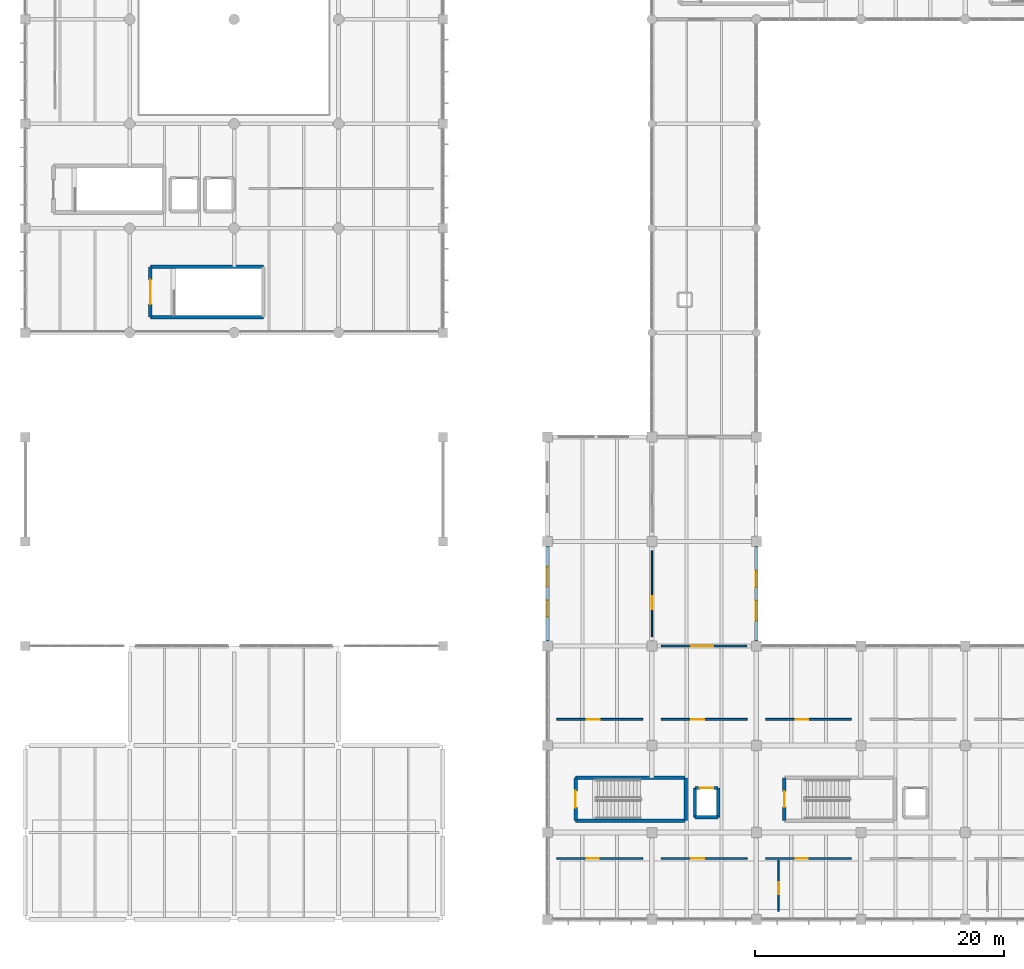
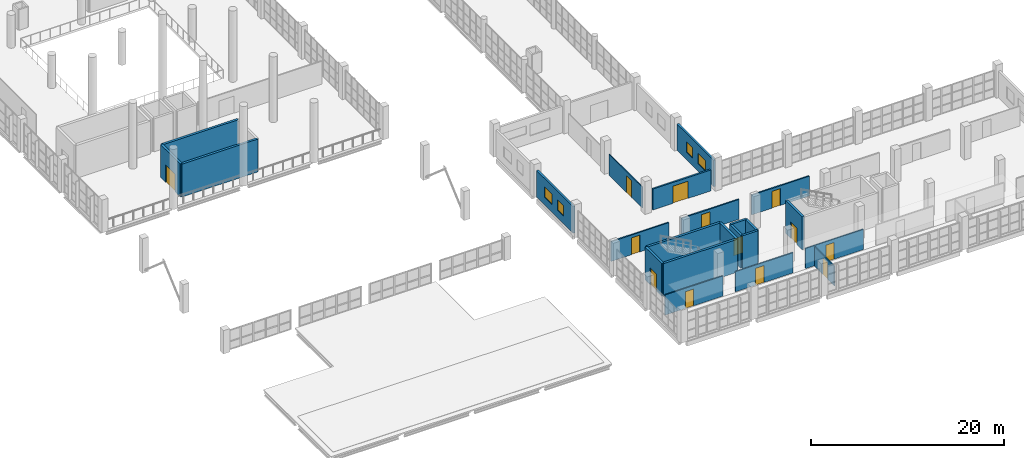
# One storey, part 148 of 177: 23 walls, 13 doors, 4 windows, 17 openings.
"""IFC4 building model written with IfcOpenShell, lengths in metres."""

from ifc_helpers import new_model, si_unit, direction, frame, frame_2d, origin, place, context, subcontext, project, spatial, rectangle, extrude, material, layer, layer_set, type_object, element, fill, save


model = new_model("IFC4")

# Units and contexts
model_context = context("Model", 3, precision=1e-05, world=origin(), true_north=direction((0.0, 1.0)))
body_context = subcontext(model_context, "Body", "Model", "MODEL_VIEW")
ifc_project = project(units=[si_unit("LENGTHUNIT", "METRE"), si_unit("AREAUNIT", "SQUARE_METRE"), si_unit("VOLUMEUNIT", "CUBIC_METRE"), si_unit("PLANEANGLEUNIT", "RADIAN"), si_unit("MASSUNIT", "GRAM", prefix="KILO"), si_unit("THERMODYNAMICTEMPERATUREUNIT", "KELVIN"), si_unit("POWERUNIT", "WATT")], contexts=[model_context])

# Site, building, storey
site_placement = place(None, origin())
site = spatial("IfcSite", under=ifc_project, at=site_placement, CompositionType="ELEMENT")
building_placement = place(site_placement, origin())
building = spatial("IfcBuilding", under=site, at=building_placement, Name="Mavoryth Pier Ferry Terminal", CompositionType="ELEMENT")
storey_placement = place(building_placement, frame((0.0, 0.0, 5.43994140625)))
storey = spatial("IfcBuildingStorey", under=building, at=storey_placement, Name="L01", CompositionType="ELEMENT", Elevation=5.43994140625)

# Walls
ifc_material_1 = material(Name="Concrete C35/45", Category="concrete")
ifc_layer_1 = layer(ifc_material_1, 0.260009765625, Name="Concrete C35/45", Category="concrete")
ifc_layer_set_1 = layer_set([ifc_layer_1], Name="Concrete C35/45 - CoreWall-LiftShaft-RC260")
wall_type_1 = type_object("IfcWallType", Name="CoreWall-LiftShaft-RC260", PredefinedType="SHEAR", material=ifc_layer_set_1)
wall_1_placement = place(storey_placement, frame((53.8701171875, 8.219970703125, 0.0), z_axis=(0.0, 0.0, 1.0), x_axis=(1.0, 0.0, 0.0)))
element("IfcWall", 1, at=wall_1_placement, inside=storey, type_object=wall_type_1, Name="Interior Wall IW-L01-0229", PredefinedType="SHEAR", context=body_context, shape_type="SweptSolid", body=[
    extrude(rectangle(XDim=1.85986328125, YDim=0.260009765625, at=frame_2d((0.929931640625, 0.0))), origin(), (0.0, 0.0, 1.0), 4.16015625),
])
for number, where, z_axis, x_axis, name in (
    (2, (55.72998046875, 8.219970703125, 0.0), (0.0, 0.0, 1.0), (0.0, 1.0, 0.0), "Interior Wall IW-L01-0230"),
    (3, (53.8701171875, 10.580078125, 0.0), (0.0, 0.0, 1.0), (0.0, -1.0, 0.0), "Interior Wall IW-L01-0231"),
):
    element("IfcWall", number, at=place(storey_placement, frame(where, z_axis=z_axis, x_axis=x_axis)), inside=storey, type_object=wall_type_1, Name=name, PredefinedType="SHEAR", context=body_context, shape_type="SweptSolid", body=[
        extrude(rectangle(XDim=2.360107421875, YDim=0.260009765625, at=frame_2d((1.18017578125, 0.0))), origin(), (0.0, 0.0, 1.0), 4.16015625),
    ])

# Wall, opening, door
wall_2_placement = place(storey_placement, frame((53.8701171875, 10.580078125, 0.0), z_axis=(0.0, 0.0, 1.0), x_axis=(1.0, 0.0, 0.0)))
wall_2 = element("IfcWall", 4, at=wall_2_placement, inside=storey, type_object=wall_type_1, Name="Interior Wall IW-L01-0232", PredefinedType="SHEAR", context=body_context, shape_type="SweptSolid", body=[
    extrude(rectangle(XDim=1.85986328125, YDim=0.260009765625, at=frame_2d((0.929931640625, 0.0))), origin(), (0.0, 0.0, 1.0), 4.16015625),
])
opening_1_placement = place(wall_2_placement, frame((0.389892578125, 0.0, 0.0)))
opening_1 = element("IfcOpeningElement", 5, at=opening_1_placement, cuts=wall_2, Name="Opening LD03", PredefinedType="OPENING", context=body_context, shape_type="SweptSolid", body=[
    extrude(rectangle(XDim=1.080078125, YDim=2.139892578125, at=frame_2d((0.5400390625, 1.06982421875))), frame((0.0, 0.139892578125, 0.0), z_axis=(0.0, -1.0, 0.0), x_axis=(1.0, 0.0, 0.0)), (0.0, 0.0, 1.0), 0.280029296875),
])
ifc_material_2 = material(Name="EN 81-72 Fire-Rated Lift Landing Door")
door_type_1 = type_object("IfcDoorType", Name="Door-FireLiftLanding-1080x2140", OperationType="NOTDEFINED", PredefinedType="DOOR", material=ifc_material_2)
door_1_placement = place(opening_1_placement, origin())
door_1 = element("IfcDoor", 6, at=door_1_placement, inside=storey, type_object=door_type_1, Name="Lift FL01 Landing Door L01", OperationType="DOUBLE_DOOR_SLIDING", OverallHeight=2.139892578125, OverallWidth=1.080078125, PredefinedType="DOOR", context=body_context, shape_type="SweptSolid", body=[
    extrude(rectangle(XDim=1.080078125, YDim=2.139892578125, at=frame_2d((0.5400390625, 1.06982421875))), frame((0.0, 0.02490234375, 0.0), z_axis=(0.0, -1.0, 0.0), x_axis=(1.0, 0.0, 0.0)), (0.0, 0.0, 1.0), 0.050048828125),
])
fill(opening_1, door_1)

# Walls
ifc_material_3 = material(Name="Concrete C40/50", Category="concrete")
ifc_layer_2 = layer(ifc_material_3, 0.280029296875, Name="Concrete C40/50", Category="concrete")
ifc_layer_set_2 = layer_set([ifc_layer_2], Name="Concrete C40/50 - CoreWall-Shear-RC280")
wall_type_2 = type_object("IfcWallType", Name="CoreWall-Shear-RC280", PredefinedType="SHEAR", material=ifc_layer_set_2)
for number, where, z_axis, x_axis, name in (
    (7, (44.260009765625, 7.9599609375, 0.0), (0.0, 0.0, 1.0), (1.0, 0.0, 0.0), "Interior Wall IW-L01-0209"),
    (8, (44.260009765625, 11.389892578125, 0.0), (0.0, 0.0, 1.0), (1.0, 0.0, 0.0), "Interior Wall IW-L01-0210"),
):
    element("IfcWall", number, at=place(storey_placement, frame(where, z_axis=z_axis, x_axis=x_axis)), inside=storey, type_object=wall_type_2, Name=name, PredefinedType="SHEAR", context=body_context, shape_type="SweptSolid", body=[
        extrude(rectangle(XDim=8.8798828125, YDim=0.280029296875, at=frame_2d((4.43994140625, 0.0))), origin(), (0.0, 0.0, 1.0), 4.16015625),
    ])

# Wall, opening, door
wall_3_placement = place(storey_placement, frame((44.260009765625, 11.389892578125, 0.0), z_axis=(0.0, 0.0, 1.0), x_axis=(0.0, -1.0, 0.0)))
wall_3 = element("IfcWall", 9, at=wall_3_placement, inside=storey, type_object=wall_type_2, Name="Interior Wall IW-L01-0211", PredefinedType="SHEAR", context=body_context, shape_type="SweptSolid", body=[
    extrude(rectangle(XDim=3.429931640625, YDim=0.280029296875, at=frame_2d((1.71484375, 0.0))), origin(), (0.0, 0.0, 1.0), 4.16015625),
])
opening_2_placement = place(wall_3_placement, frame((1.034912109375, 0.0, 0.0)))
opening_2 = element("IfcOpeningElement", 10, at=opening_2_placement, cuts=wall_3, Name="Opening ID02-053", PredefinedType="OPENING", context=body_context, shape_type="SweptSolid", body=[
    extrude(rectangle(XDim=1.360107421875, YDim=2.14990234375, at=frame_2d((0.68017578125, 1.074951171875))), frame((0.0, 0.14990234375, 0.0), z_axis=(0.0, -1.0, 0.0), x_axis=(1.0, 0.0, 0.0)), (0.0, 0.0, 1.0), 0.300048828125),
])
ifc_material_4 = material(Name="Painted Galvanised Steel Fire Door", Category="steel")
door_type_2 = type_object("IfcDoorType", Name="Door-StairFire-1360x2150", OperationType="NOTDEFINED", PredefinedType="DOOR", material=ifc_material_4)
door_2_placement = place(opening_2_placement, origin())
door_2 = element("IfcDoor", 11, at=door_2_placement, inside=storey, type_object=door_type_2, Name="Core C5A Stair Exit Door L01", OperationType="SINGLE_SWING_RIGHT", OverallHeight=2.14990234375, OverallWidth=1.360107421875, PredefinedType="DOOR", context=body_context, shape_type="SweptSolid", body=[
    extrude(rectangle(XDim=1.360107421875, YDim=2.14990234375, at=frame_2d((0.68017578125, 1.074951171875))), frame((0.0, 0.02490234375, 0.0), z_axis=(0.0, -1.0, 0.0), x_axis=(1.0, 0.0, 0.0)), (0.0, 0.0, 1.0), 0.050048828125),
])
fill(opening_2, door_2)

# Wall
wall_4_placement = place(storey_placement, frame((53.139892578125, 7.9599609375, 0.0), z_axis=(0.0, 0.0, 1.0), x_axis=(0.0, 1.0, 0.0)))
element("IfcWall", 12, at=wall_4_placement, inside=storey, type_object=wall_type_2, Name="Interior Wall IW-L01-0212", PredefinedType="SHEAR", context=body_context, shape_type="SweptSolid", body=[
    extrude(rectangle(XDim=3.429931640625, YDim=0.280029296875, at=frame_2d((1.71484375, 0.0))), origin(), (0.0, 0.0, 1.0), 4.16015625),
])

# Wall, opening, door
wall_5_placement = place(storey_placement, frame((61.06005859375, 11.389892578125, 0.0), z_axis=(0.0, 0.0, 1.0), x_axis=(0.0, -1.0, 0.0)))
wall_5 = element("IfcWall", 13, at=wall_5_placement, inside=storey, type_object=wall_type_2, Name="Interior Wall IW-L01-0251", PredefinedType="SHEAR", context=body_context, shape_type="SweptSolid", body=[
    extrude(rectangle(XDim=3.429931640625, YDim=0.280029296875, at=frame_2d((1.71484375, 0.0))), origin(), (0.0, 0.0, 1.0), 4.16015625),
])
opening_3_placement = place(wall_5_placement, frame((1.074951171875, 0.0, 0.0)))
opening_3 = element("IfcOpeningElement", 14, at=opening_3_placement, cuts=wall_5, Name="Opening ID03-063", PredefinedType="OPENING", context=body_context, shape_type="SweptSolid", body=[
    extrude(rectangle(XDim=1.280029296875, YDim=2.10009765625, at=frame_2d((0.64013671875, 1.050048828125))), frame((0.0, 0.14990234375, 0.0), z_axis=(0.0, -1.0, 0.0), x_axis=(1.0, 0.0, 0.0)), (0.0, 0.0, 1.0), 0.300048828125),
])
door_type_3 = type_object("IfcDoorType", Name="Door-StairFire-1280x2100", OperationType="NOTDEFINED", PredefinedType="DOOR", material=ifc_material_4)
door_3_placement = place(opening_3_placement, origin())
door_3 = element("IfcDoor", 15, at=door_3_placement, inside=storey, type_object=door_type_3, Name="Core C5B Stair Exit Door L01", OperationType="SINGLE_SWING_LEFT", OverallHeight=2.10009765625, OverallWidth=1.280029296875, PredefinedType="DOOR", context=body_context, shape_type="SweptSolid", body=[
    extrude(rectangle(XDim=1.280029296875, YDim=2.10009765625, at=frame_2d((0.64013671875, 1.050048828125))), frame((0.0, 0.02490234375, 0.0), z_axis=(0.0, -1.0, 0.0), x_axis=(1.0, 0.0, 0.0)), (0.0, 0.0, 1.0), 0.050048828125),
])
fill(opening_3, door_3)

# Walls
for number, where, z_axis, x_axis, name in (
    (16, (10.06005859375, 48.4599609375, 0.0), (0.0, 0.0, 1.0), (1.0, 0.0, 0.0), "Interior Wall IW-L01-0289"),
    (17, (10.06005859375, 52.489990234375, 0.0), (0.0, 0.0, 1.0), (1.0, 0.0, 0.0), "Interior Wall IW-L01-0290"),
):
    element("IfcWall", number, at=place(storey_placement, frame(where, z_axis=z_axis, x_axis=x_axis)), inside=storey, type_object=wall_type_2, Name=name, PredefinedType="SHEAR", context=body_context, shape_type="SweptSolid", body=[
        extrude(rectangle(XDim=9.079833984375, YDim=0.280029296875, at=frame_2d((4.5400390625, 0.0))), origin(), (0.0, 0.0, 1.0), 4.16015625),
    ])

# Wall, opening, door
wall_6_placement = place(storey_placement, frame((10.06005859375, 52.489990234375, 0.0), z_axis=(0.0, 0.0, 1.0), x_axis=(0.0, -1.0, 0.0)))
wall_6 = element("IfcWall", 18, at=wall_6_placement, inside=storey, type_object=wall_type_2, Name="Interior Wall IW-L01-0291", PredefinedType="SHEAR", context=body_context, shape_type="SweptSolid", body=[
    extrude(rectangle(XDim=4.030029296875, YDim=0.280029296875, at=frame_2d((2.01513671875, 0.0))), origin(), (0.0, 0.0, 1.0), 4.16015625),
])
opening_4_placement = place(wall_6_placement, frame((1.034912109375, 0.0, 0.0)))
opening_4 = element("IfcOpeningElement", 19, at=opening_4_placement, cuts=wall_6, Name="Opening ID07-073", PredefinedType="OPENING", context=body_context, shape_type="SweptSolid", body=[
    extrude(rectangle(XDim=1.9599609375, YDim=2.219970703125, at=frame_2d((0.97998046875, 1.10986328125))), frame((0.0, 0.14990234375, 0.0), z_axis=(0.0, -1.0, 0.0), x_axis=(1.0, 0.0, 0.0)), (0.0, 0.0, 1.0), 0.300048828125),
])
ifc_material_5 = material(Name="Fire-Resisting Anodised Aluminium Glazed Door", Category="aluminium")
door_type_4 = type_object("IfcDoorType", Name="Door-ConcourseSlide-1960x2220", OperationType="NOTDEFINED", PredefinedType="DOOR", material=ifc_material_5)
door_4_placement = place(opening_4_placement, origin())
door_4 = element("IfcDoor", 20, at=door_4_placement, inside=storey, type_object=door_type_4, Name="Feature Stair FS1 Concourse Door L01", OperationType="DOUBLE_DOOR_SLIDING", OverallHeight=2.219970703125, OverallWidth=1.9599609375, PredefinedType="DOOR", context=body_context, shape_type="SweptSolid", body=[
    extrude(rectangle(XDim=1.9599609375, YDim=2.219970703125, at=frame_2d((0.97998046875, 1.10986328125))), frame((0.0, 0.02490234375, 0.0), z_axis=(0.0, -1.0, 0.0), x_axis=(1.0, 0.0, 0.0)), (0.0, 0.0, 1.0), 0.050048828125),
])
fill(opening_4, door_4)

# Wall, openings, windows
ifc_material_6 = material(Name="Insulated Pentelic Limestone-Faced Masonry", Category="masonry")
ifc_layer_3 = layer(ifc_material_6, 0.25, Name="Insulated Pentelic Limestone-Faced Masonry", Category="masonry")
ifc_layer_set_3 = layer_set([ifc_layer_3], Name="Insulated Pentelic Limestone-Faced Masonry - ExtWall-Facade-Masonry250")
wall_type_3 = type_object("IfcWallType", Name="ExtWall-Facade-Masonry250", PredefinedType="SOLIDWALL", material=ifc_layer_set_3)
wall_7_placement = place(storey_placement, frame((42.0, 30.0, 0.0), z_axis=(0.0, 0.0, 1.0), x_axis=(0.0, -1.0, 0.0)))
wall_7 = element("IfcWall", 21, at=wall_7_placement, inside=storey, type_object=wall_type_3, Name="Exterior Wall EW-L01-161", PredefinedType="SOLIDWALL", context=body_context, shape_type="SweptSolid", body=[
    extrude(rectangle(XDim=7.60009765625, YDim=0.25, at=frame_2d((3.800048828125, 0.0))), origin(), (0.0, 0.0, 1.0), 3.344970703125),
])
opening_5_placement = place(wall_7_placement, frame((1.639892578125, 0.0, 0.949951171875)))
opening_5 = element("IfcOpeningElement", 22, at=opening_5_placement, cuts=wall_7, Name="Opening WN05", PredefinedType="OPENING", context=body_context, shape_type="SweptSolid", body=[
    extrude(rectangle(XDim=1.60009765625, YDim=1.35009765625, at=frame_2d((0.800048828125, 0.675048828125))), frame((0.0, 0.135009765625, 0.0), z_axis=(0.0, -1.0, 0.0), x_axis=(1.0, 0.0, 0.0)), (0.0, 0.0, 1.0), 0.27001953125),
])
opening_6_placement = place(wall_7_placement, frame((4.340087890625, 0.0, 0.949951171875)))
opening_6 = element("IfcOpeningElement", 23, at=opening_6_placement, cuts=wall_7, Name="Opening WN06", PredefinedType="OPENING", context=body_context, shape_type="SweptSolid", body=[
    extrude(rectangle(XDim=1.300048828125, YDim=1.35009765625, at=frame_2d((0.64990234375, 0.675048828125))), frame((0.0, 0.135009765625, 0.0), z_axis=(0.0, -1.0, 0.0), x_axis=(1.0, 0.0, 0.0)), (0.0, 0.0, 1.0), 0.27001953125),
])
ifc_material_7 = material(Name="Thermally Broken Aluminium and Low-E Double Glazing", Category="aluminium")
window_type_1 = type_object("IfcWindowType", Name="Win-Clinic-1300x1350", PartitioningType="SINGLE_PANEL", PredefinedType="WINDOW", material=ifc_material_7)
window_1_placement = place(opening_6_placement, origin())
window_1 = element("IfcWindow", 24, at=window_1_placement, inside=storey, type_object=window_type_1, Name="Exterior Window 84", OverallHeight=1.35009765625, OverallWidth=1.300048828125, PartitioningType="SINGLE_PANEL", PredefinedType="WINDOW", context=body_context, shape_type="SweptSolid", body=[
    extrude(rectangle(XDim=1.300048828125, YDim=1.35009765625, at=frame_2d((0.64990234375, 0.675048828125))), frame((0.0, 0.030029296875, 0.0), z_axis=(0.0, -1.0, 0.0), x_axis=(1.0, 0.0, 0.0)), (0.0, 0.0, 1.0), 0.06005859375),
])
fill(opening_6, window_1)
window_type_2 = type_object("IfcWindowType", Name="Win-Clinic-1600x1350", PartitioningType="DOUBLE_PANEL_VERTICAL", PredefinedType="WINDOW", material=ifc_material_7)
window_2_placement = place(opening_5_placement, origin())
window_2 = element("IfcWindow", 25, at=window_2_placement, inside=storey, type_object=window_type_2, Name="Exterior Window 83", OverallHeight=1.35009765625, OverallWidth=1.60009765625, PartitioningType="DOUBLE_PANEL_VERTICAL", PredefinedType="WINDOW", context=body_context, shape_type="SweptSolid", body=[
    extrude(rectangle(XDim=1.60009765625, YDim=1.35009765625, at=frame_2d((0.800048828125, 0.675048828125))), frame((0.0, 0.030029296875, 0.0), z_axis=(0.0, -1.0, 0.0), x_axis=(1.0, 0.0, 0.0)), (0.0, 0.0, 1.0), 0.06005859375),
])
fill(opening_5, window_2)

wall_8_placement = place(storey_placement, frame((58.800048828125, 22.39990234375, 0.0), z_axis=(0.0, 0.0, 1.0), x_axis=(0.0, 1.0, 0.0)))
wall_8 = element("IfcWall", 26, at=wall_8_placement, inside=storey, type_object=wall_type_3, Name="Exterior Wall EW-L01-162", PredefinedType="SOLIDWALL", context=body_context, shape_type="SweptSolid", body=[
    extrude(rectangle(XDim=7.60009765625, YDim=0.25, at=frame_2d((3.800048828125, 0.0))), origin(), (0.0, 0.0, 1.0), 3.344970703125),
])
opening_7_placement = place(wall_8_placement, frame((1.639892578125, 0.0, 0.949951171875)))
opening_7 = element("IfcOpeningElement", 27, at=opening_7_placement, cuts=wall_8, Name="Opening WN05", PredefinedType="OPENING", context=body_context, shape_type="SweptSolid", body=[
    extrude(rectangle(XDim=1.60009765625, YDim=1.35009765625, at=frame_2d((0.800048828125, 0.675048828125))), frame((0.0, 0.135009765625, 0.0), z_axis=(0.0, -1.0, 0.0), x_axis=(1.0, 0.0, 0.0)), (0.0, 0.0, 1.0), 0.27001953125),
])
opening_8_placement = place(wall_8_placement, frame((4.340087890625, 0.0, 0.949951171875)))
opening_8 = element("IfcOpeningElement", 28, at=opening_8_placement, cuts=wall_8, Name="Opening WN06", PredefinedType="OPENING", context=body_context, shape_type="SweptSolid", body=[
    extrude(rectangle(XDim=1.300048828125, YDim=1.35009765625, at=frame_2d((0.64990234375, 0.675048828125))), frame((0.0, 0.135009765625, 0.0), z_axis=(0.0, -1.0, 0.0), x_axis=(1.0, 0.0, 0.0)), (0.0, 0.0, 1.0), 0.27001953125),
])
window_3_placement = place(opening_8_placement, origin())
window_3 = element("IfcWindow", 29, at=window_3_placement, inside=storey, type_object=window_type_1, Name="Exterior Window 86", OverallHeight=1.35009765625, OverallWidth=1.300048828125, PartitioningType="SINGLE_PANEL", PredefinedType="WINDOW", context=body_context, shape_type="SweptSolid", body=[
    extrude(rectangle(XDim=1.300048828125, YDim=1.35009765625, at=frame_2d((0.64990234375, 0.675048828125))), frame((0.0, 0.030029296875, 0.0), z_axis=(0.0, -1.0, 0.0), x_axis=(1.0, 0.0, 0.0)), (0.0, 0.0, 1.0), 0.06005859375),
])
fill(opening_8, window_3)
window_4_placement = place(opening_7_placement, origin())
window_4 = element("IfcWindow", 30, at=window_4_placement, inside=storey, type_object=window_type_2, Name="Exterior Window 85", OverallHeight=1.35009765625, OverallWidth=1.60009765625, PartitioningType="DOUBLE_PANEL_VERTICAL", PredefinedType="WINDOW", context=body_context, shape_type="SweptSolid", body=[
    extrude(rectangle(XDim=1.60009765625, YDim=1.35009765625, at=frame_2d((0.800048828125, 0.675048828125))), frame((0.0, 0.030029296875, 0.0), z_axis=(0.0, -1.0, 0.0), x_axis=(1.0, 0.0, 0.0)), (0.0, 0.0, 1.0), 0.06005859375),
])
fill(opening_7, window_4)

# Wall, opening, door
ifc_material_8 = material(Name="Autoclaved Aerated Concrete Blockwork", Category="masonry")
ifc_layer_4 = layer(ifc_material_8, 0.199951171875, Name="Autoclaved Aerated Concrete Blockwork", Category="masonry")
ifc_layer_set_4 = layer_set([ifc_layer_4], Name="Autoclaved Aerated Concrete Blockwork - IntWall-LobbyRated-200")
wall_type_4 = type_object("IfcWallType", Name="IntWall-LobbyRated-200", PredefinedType="SOLIDWALL", material=ifc_layer_set_4)
wall_9_placement = place(storey_placement, frame((51.14990234375, 22.0, 0.0), z_axis=(0.0, 0.0, 1.0), x_axis=(1.0, 0.0, 0.0)))
wall_9 = element("IfcWall", 31, at=wall_9_placement, inside=storey, type_object=wall_type_4, Name="Interior Wall IW-L01-0514", PredefinedType="SOLIDWALL", context=body_context, shape_type="SweptSolid", body=[
    extrude(rectangle(XDim=6.900146484375, YDim=0.199951171875, at=frame_2d((3.4501953125, 0.0))), origin(), (0.0, 0.0, 1.0), 2.650146484375),
])
opening_9_placement = place(wall_9_placement, frame((2.39990234375, 0.0, 0.0)))
opening_9 = element("IfcOpeningElement", 32, at=opening_9_placement, cuts=wall_9, Name="Opening ID04-183", PredefinedType="OPENING", context=body_context, shape_type="SweptSolid", body=[
    extrude(rectangle(XDim=1.800048828125, YDim=2.179931640625, at=frame_2d((0.89990234375, 1.08984375))), frame((0.0, 0.10986328125, 0.0), z_axis=(0.0, -1.0, 0.0), x_axis=(1.0, 0.0, 0.0)), (0.0, 0.0, 1.0), 0.219970703125),
])
ifc_material_9 = material(Name="Glazed Fire-Resisting Steel Door", Category="steel")
door_type_5 = type_object("IfcDoorType", Name="Door-LobbyDouble-1800x2180", OperationType="NOTDEFINED", PredefinedType="DOOR", material=ifc_material_9)
door_5_placement = place(opening_9_placement, origin())
door_5 = element("IfcDoor", 33, at=door_5_placement, inside=storey, type_object=door_type_5, Name="Operations Link Vestibule South Door", OperationType="DOUBLE_DOOR_SINGLE_SWING", OverallHeight=2.179931640625, OverallWidth=1.800048828125, PredefinedType="DOOR", context=body_context, shape_type="SweptSolid", body=[
    extrude(rectangle(XDim=1.800048828125, YDim=2.179931640625, at=frame_2d((0.89990234375, 1.08984375))), frame((0.0, 0.02490234375, 0.0), z_axis=(0.0, -1.0, 0.0), x_axis=(1.0, 0.0, 0.0)), (0.0, 0.0, 1.0), 0.050048828125),
])
fill(opening_9, door_5)

ifc_material_10 = material(Name="Double-Stud Acoustic Gypsum Partition")
ifc_layer_5 = layer(ifc_material_10, 0.159912109375, Name="Double-Stud Acoustic Gypsum Partition")
ifc_layer_set_5 = layer_set([ifc_layer_5], Name="Double-Stud Acoustic Gypsum Partition - Part-Acoustic-160")
wall_type_5 = type_object("IfcWallType", Name="Part-Acoustic-160", PredefinedType="PARTITIONING", material=ifc_layer_set_5)
wall_10_placement = place(storey_placement, frame((42.75, 16.10009765625, 0.0), z_axis=(0.0, 0.0, 1.0), x_axis=(1.0, 0.0, 0.0)))
wall_10 = element("IfcWall", 34, at=wall_10_placement, inside=storey, type_object=wall_type_5, Name="Interior Wall IW-L01-0455", PredefinedType="PARTITIONING", context=body_context, shape_type="SweptSolid", body=[
    extrude(rectangle(XDim=6.89990234375, YDim=0.159912109375, at=frame_2d((3.449951171875, 0.0))), origin(), (0.0, 0.0, 1.0), 2.5),
])
opening_10_placement = place(wall_10_placement, frame((2.39990234375, 0.0, 0.0)))
opening_10 = element("IfcOpeningElement", 35, at=opening_10_placement, cuts=wall_10, Name="Opening ID08-124", PredefinedType="OPENING", context=body_context, shape_type="SweptSolid", body=[
    extrude(rectangle(XDim=1.0400390625, YDim=2.139892578125, at=frame_2d((0.52001953125, 1.06982421875))), frame((0.0, 0.08984375, 0.0), z_axis=(0.0, -1.0, 0.0), x_axis=(1.0, 0.0, 0.0)), (0.0, 0.0, 1.0), 0.179931640625),
])
ifc_material_11 = material(Name="Solid-Core Oak Veneer Timber Door", Category="wood")
door_type_6 = type_object("IfcDoorType", Name="Door-RoomSingle-1040x2140", OperationType="NOTDEFINED", PredefinedType="DOOR", material=ifc_material_11)
door_6_placement = place(opening_10_placement, origin())
door_6 = element("IfcDoor", 36, at=door_6_placement, inside=storey, type_object=door_type_6, Name="Interior Door ID08-124", OperationType="SINGLE_SWING_LEFT", OverallHeight=2.139892578125, OverallWidth=1.0400390625, PredefinedType="DOOR", context=body_context, shape_type="SweptSolid", body=[
    extrude(rectangle(XDim=1.0400390625, YDim=2.139892578125, at=frame_2d((0.52001953125, 1.06982421875))), frame((0.0, 0.02490234375, 0.0), z_axis=(0.0, -1.0, 0.0), x_axis=(1.0, 0.0, 0.0)), (0.0, 0.0, 1.0), 0.050048828125),
])
fill(opening_10, door_6)

wall_11_placement = place(storey_placement, frame((51.14990234375, 16.10009765625, 0.0), z_axis=(0.0, 0.0, 1.0), x_axis=(1.0, 0.0, 0.0)))
wall_11 = element("IfcWall", 37, at=wall_11_placement, inside=storey, type_object=wall_type_5, Name="Interior Wall IW-L01-0457", PredefinedType="PARTITIONING", context=body_context, shape_type="SweptSolid", body=[
    extrude(rectangle(XDim=6.900146484375, YDim=0.159912109375, at=frame_2d((3.4501953125, 0.0))), origin(), (0.0, 0.0, 1.0), 2.5),
])
opening_11_placement = place(wall_11_placement, frame((2.39990234375, 0.0, 0.0)))
opening_11 = element("IfcOpeningElement", 38, at=opening_11_placement, cuts=wall_11, Name="Opening ID08-126", PredefinedType="OPENING", context=body_context, shape_type="SweptSolid", body=[
    extrude(rectangle(XDim=1.0400390625, YDim=2.139892578125, at=frame_2d((0.52001953125, 1.06982421875))), frame((0.0, 0.08984375, 0.0), z_axis=(0.0, -1.0, 0.0), x_axis=(1.0, 0.0, 0.0)), (0.0, 0.0, 1.0), 0.179931640625),
])
door_7_placement = place(opening_11_placement, origin())
door_7 = element("IfcDoor", 39, at=door_7_placement, inside=storey, type_object=door_type_6, Name="Interior Door ID08-126", OperationType="SINGLE_SWING_LEFT", OverallHeight=2.139892578125, OverallWidth=1.0400390625, PredefinedType="DOOR", context=body_context, shape_type="SweptSolid", body=[
    extrude(rectangle(XDim=1.0400390625, YDim=2.139892578125, at=frame_2d((0.52001953125, 1.06982421875))), frame((0.0, 0.02490234375, 0.0), z_axis=(0.0, -1.0, 0.0), x_axis=(1.0, 0.0, 0.0)), (0.0, 0.0, 1.0), 0.050048828125),
])
fill(opening_11, door_7)

wall_12_placement = place(storey_placement, frame((59.550048828125, 16.10009765625, 0.0), z_axis=(0.0, 0.0, 1.0), x_axis=(1.0, 0.0, 0.0)))
wall_12 = element("IfcWall", 40, at=wall_12_placement, inside=storey, type_object=wall_type_5, Name="Interior Wall IW-L01-0460", PredefinedType="PARTITIONING", context=body_context, shape_type="SweptSolid", body=[
    extrude(rectangle(XDim=6.89990234375, YDim=0.159912109375, at=frame_2d((3.449951171875, 0.0))), origin(), (0.0, 0.0, 1.0), 2.5),
])
opening_12_placement = place(wall_12_placement, frame((2.39990234375, 0.0, 0.0)))
opening_12 = element("IfcOpeningElement", 41, at=opening_12_placement, cuts=wall_12, Name="Opening ID08-129", PredefinedType="OPENING", context=body_context, shape_type="SweptSolid", body=[
    extrude(rectangle(XDim=1.0400390625, YDim=2.139892578125, at=frame_2d((0.52001953125, 1.06982421875))), frame((0.0, 0.08984375, 0.0), z_axis=(0.0, -1.0, 0.0), x_axis=(1.0, 0.0, 0.0)), (0.0, 0.0, 1.0), 0.179931640625),
])
door_8_placement = place(opening_12_placement, origin())
door_8 = element("IfcDoor", 42, at=door_8_placement, inside=storey, type_object=door_type_6, Name="Interior Door ID08-129", OperationType="SINGLE_SWING_RIGHT", OverallHeight=2.139892578125, OverallWidth=1.0400390625, PredefinedType="DOOR", context=body_context, shape_type="SweptSolid", body=[
    extrude(rectangle(XDim=1.0400390625, YDim=2.139892578125, at=frame_2d((0.52001953125, 1.06982421875))), frame((0.0, 0.02490234375, 0.0), z_axis=(0.0, -1.0, 0.0), x_axis=(1.0, 0.0, 0.0)), (0.0, 0.0, 1.0), 0.050048828125),
])
fill(opening_12, door_8)

ifc_material_12 = material(Name="Fire-Rated Gypsum Stud Partition")
ifc_layer_6 = layer(ifc_material_12, 0.139892578125, Name="Fire-Rated Gypsum Stud Partition")
ifc_layer_set_6 = layer_set([ifc_layer_6], Name="Fire-Rated Gypsum Stud Partition - Part-Corridor-140")
wall_type_6 = type_object("IfcWallType", Name="Part-Corridor-140", PredefinedType="PARTITIONING", material=ifc_layer_set_6)
wall_13_placement = place(storey_placement, frame((42.75, 4.89990234375, 0.0), z_axis=(0.0, 0.0, 1.0), x_axis=(1.0, 0.0, 0.0)))
wall_13 = element("IfcWall", 43, at=wall_13_placement, inside=storey, type_object=wall_type_6, Name="Interior Wall IW-L01-0454", PredefinedType="PARTITIONING", context=body_context, shape_type="SweptSolid", body=[
    extrude(rectangle(XDim=6.89990234375, YDim=0.139892578125, at=frame_2d((3.449951171875, 0.0))), origin(), (0.0, 0.0, 1.0), 2.550048828125),
])
opening_13_placement = place(wall_13_placement, frame((2.39990234375, 0.0, 0.0)))
opening_13 = element("IfcOpeningElement", 44, at=opening_13_placement, cuts=wall_13, Name="Opening ID09-123", PredefinedType="OPENING", context=body_context, shape_type="SweptSolid", body=[
    extrude(rectangle(XDim=0.97998046875, YDim=2.1201171875, at=frame_2d((0.489990234375, 1.06005859375))), frame((0.0, 0.079833984375, 0.0), z_axis=(0.0, -1.0, 0.0), x_axis=(1.0, 0.0, 0.0)), (0.0, 0.0, 1.0), 0.159912109375),
])
door_type_7 = type_object("IfcDoorType", Name="Door-RoomSingle-980x2120", OperationType="NOTDEFINED", PredefinedType="DOOR", material=ifc_material_11)
door_9_placement = place(opening_13_placement, origin())
door_9 = element("IfcDoor", 45, at=door_9_placement, inside=storey, type_object=door_type_7, Name="Interior Door ID09-123", OperationType="SINGLE_SWING_RIGHT", OverallHeight=2.1201171875, OverallWidth=0.97998046875, PredefinedType="DOOR", context=body_context, shape_type="SweptSolid", body=[
    extrude(rectangle(XDim=0.97998046875, YDim=2.1201171875, at=frame_2d((0.489990234375, 1.06005859375))), frame((0.0, 0.02490234375, 0.0), z_axis=(0.0, -1.0, 0.0), x_axis=(1.0, 0.0, 0.0)), (0.0, 0.0, 1.0), 0.050048828125),
])
fill(opening_13, door_9)

wall_14_placement = place(storey_placement, frame((51.14990234375, 4.89990234375, 0.0), z_axis=(0.0, 0.0, 1.0), x_axis=(1.0, 0.0, 0.0)))
wall_14 = element("IfcWall", 46, at=wall_14_placement, inside=storey, type_object=wall_type_6, Name="Interior Wall IW-L01-0456", PredefinedType="PARTITIONING", context=body_context, shape_type="SweptSolid", body=[
    extrude(rectangle(XDim=6.900146484375, YDim=0.139892578125, at=frame_2d((3.4501953125, 0.0))), origin(), (0.0, 0.0, 1.0), 2.550048828125),
])
opening_14_placement = place(wall_14_placement, frame((2.39990234375, 0.0, 0.0)))
opening_14 = element("IfcOpeningElement", 47, at=opening_14_placement, cuts=wall_14, Name="Opening ID08-125", PredefinedType="OPENING", context=body_context, shape_type="SweptSolid", body=[
    extrude(rectangle(XDim=1.0400390625, YDim=2.139892578125, at=frame_2d((0.52001953125, 1.06982421875))), frame((0.0, 0.079833984375, 0.0), z_axis=(0.0, -1.0, 0.0), x_axis=(1.0, 0.0, 0.0)), (0.0, 0.0, 1.0), 0.159912109375),
])
door_10_placement = place(opening_14_placement, origin())
door_10 = element("IfcDoor", 48, at=door_10_placement, inside=storey, type_object=door_type_6, Name="Interior Door ID08-125", OperationType="SINGLE_SWING_RIGHT", OverallHeight=2.139892578125, OverallWidth=1.0400390625, PredefinedType="DOOR", context=body_context, shape_type="SweptSolid", body=[
    extrude(rectangle(XDim=1.0400390625, YDim=2.139892578125, at=frame_2d((0.52001953125, 1.06982421875))), frame((0.0, 0.02490234375, 0.0), z_axis=(0.0, -1.0, 0.0), x_axis=(1.0, 0.0, 0.0)), (0.0, 0.0, 1.0), 0.050048828125),
])
fill(opening_14, door_10)

wall_15_placement = place(storey_placement, frame((59.550048828125, 4.89990234375, 0.0), z_axis=(0.0, 0.0, 1.0), x_axis=(1.0, 0.0, 0.0)))
wall_15 = element("IfcWall", 49, at=wall_15_placement, inside=storey, type_object=wall_type_6, Name="Interior Wall IW-L01-0458", PredefinedType="PARTITIONING", context=body_context, shape_type="SweptSolid", body=[
    extrude(rectangle(XDim=6.89990234375, YDim=0.139892578125, at=frame_2d((3.449951171875, 0.0))), origin(), (0.0, 0.0, 1.0), 2.550048828125),
])
opening_15_placement = place(wall_15_placement, frame((2.39990234375, 0.0, 0.0)))
opening_15 = element("IfcOpeningElement", 50, at=opening_15_placement, cuts=wall_15, Name="Opening ID09-127", PredefinedType="OPENING", context=body_context, shape_type="SweptSolid", body=[
    extrude(rectangle(XDim=0.97998046875, YDim=2.1201171875, at=frame_2d((0.489990234375, 1.06005859375))), frame((0.0, 0.079833984375, 0.0), z_axis=(0.0, -1.0, 0.0), x_axis=(1.0, 0.0, 0.0)), (0.0, 0.0, 1.0), 0.159912109375),
])
door_11_placement = place(opening_15_placement, origin())
door_11 = element("IfcDoor", 51, at=door_11_placement, inside=storey, type_object=door_type_7, Name="Interior Door ID09-127", OperationType="SINGLE_SWING_RIGHT", OverallHeight=2.1201171875, OverallWidth=0.97998046875, PredefinedType="DOOR", context=body_context, shape_type="SweptSolid", body=[
    extrude(rectangle(XDim=0.97998046875, YDim=2.1201171875, at=frame_2d((0.489990234375, 1.06005859375))), frame((0.0, 0.02490234375, 0.0), z_axis=(0.0, -1.0, 0.0), x_axis=(1.0, 0.0, 0.0)), (0.0, 0.0, 1.0), 0.050048828125),
])
fill(opening_15, door_11)

ifc_material_13 = material(Name="Metal-Stud Gypsum Partition")
ifc_layer_7 = layer(ifc_material_13, 0.1201171875, Name="Metal-Stud Gypsum Partition")
ifc_layer_set_7 = layer_set([ifc_layer_7], Name="Metal-Stud Gypsum Partition - Part-Standard-120")
wall_type_7 = type_object("IfcWallType", Name="Part-Standard-120", PredefinedType="PARTITIONING", material=ifc_layer_set_7)
wall_16_placement = place(storey_placement, frame((60.60009765625, 0.64990234375, 0.0), z_axis=(0.0, 0.0, 1.0), x_axis=(0.0, 1.0, 0.0)))
wall_16 = element("IfcWall", 52, at=wall_16_placement, inside=storey, type_object=wall_type_7, Name="Interior Wall IW-L01-0459", PredefinedType="PARTITIONING", context=body_context, shape_type="SweptSolid", body=[
    extrude(rectangle(XDim=4.10009765625, YDim=0.1201171875, at=frame_2d((2.050048828125, 0.0))), origin(), (0.0, 0.0, 1.0), 2.5),
])
opening_16_placement = place(wall_16_placement, frame((1.39990234375, 0.0, 0.0)))
opening_16 = element("IfcOpeningElement", 53, at=opening_16_placement, cuts=wall_16, Name="Opening ID10-128", PredefinedType="OPENING", context=body_context, shape_type="SweptSolid", body=[
    extrude(rectangle(XDim=0.93994140625, YDim=2.080078125, at=frame_2d((0.469970703125, 1.0400390625))), frame((0.0, 0.070068359375, 0.0), z_axis=(0.0, -1.0, 0.0), x_axis=(1.0, 0.0, 0.0)), (0.0, 0.0, 1.0), 0.14013671875),
])
door_type_8 = type_object("IfcDoorType", Name="Door-RoomSingle-940x2080", OperationType="NOTDEFINED", PredefinedType="DOOR", material=ifc_material_11)
door_12_placement = place(opening_16_placement, origin())
door_12 = element("IfcDoor", 54, at=door_12_placement, inside=storey, type_object=door_type_8, Name="Interior Door ID10-128", OperationType="SINGLE_SWING_LEFT", OverallHeight=2.080078125, OverallWidth=0.93994140625, PredefinedType="DOOR", context=body_context, shape_type="SweptSolid", body=[
    extrude(rectangle(XDim=0.93994140625, YDim=2.080078125, at=frame_2d((0.469970703125, 1.0400390625))), frame((0.0, 0.02490234375, 0.0), z_axis=(0.0, -1.0, 0.0), x_axis=(1.0, 0.0, 0.0)), (0.0, 0.0, 1.0), 0.050048828125),
])
fill(opening_16, door_12)

ifc_material_14 = material(Name="Moisture-Resistant Cement-Board Partition")
ifc_layer_8 = layer(ifc_material_14, 0.10009765625, Name="Moisture-Resistant Cement-Board Partition")
ifc_layer_set_8 = layer_set([ifc_layer_8], Name="Moisture-Resistant Cement-Board Partition - Part-WetArea-100")
wall_type_8 = type_object("IfcWallType", Name="Part-WetArea-100", PredefinedType="PARTITIONING", material=ifc_layer_set_8)
wall_17_placement = place(storey_placement, frame((50.39990234375, 22.75, 0.0), z_axis=(0.0, 0.0, 1.0), x_axis=(0.0, 1.0, 0.0)))
wall_17 = element("IfcWall", 55, at=wall_17_placement, inside=storey, type_object=wall_type_8, Name="Interior Wall IW-L01-0512", PredefinedType="PARTITIONING", context=body_context, shape_type="SweptSolid", body=[
    extrude(rectangle(XDim=6.89990234375, YDim=0.10009765625, at=frame_2d((3.449951171875, 0.0))), origin(), (0.0, 0.0, 1.0), 2.650146484375),
])
opening_17_placement = place(wall_17_placement, frame((2.199951171875, 0.0, 0.0)))
opening_17 = element("IfcOpeningElement", 56, at=opening_17_placement, cuts=wall_17, Name="Opening ID11-181", PredefinedType="OPENING", context=body_context, shape_type="SweptSolid", body=[
    extrude(rectangle(XDim=1.06005859375, YDim=2.10009765625, at=frame_2d((0.530029296875, 1.050048828125))), frame((0.0, 0.06005859375, 0.0), z_axis=(0.0, -1.0, 0.0), x_axis=(1.0, 0.0, 0.0)), (0.0, 0.0, 1.0), 0.1201171875),
])
ifc_material_15 = material(Name="High-Pressure Laminate Accessible Door")
door_type_9 = type_object("IfcDoorType", Name="Door-AccessibleWC-1060x2100", OperationType="NOTDEFINED", PredefinedType="DOOR", material=ifc_material_15)
door_13_placement = place(opening_17_placement, origin())
door_13 = element("IfcDoor", 57, at=door_13_placement, inside=storey, type_object=door_type_9, Name="L01 Crew Accessible WC Door", OperationType="SINGLE_SWING_RIGHT", OverallHeight=2.10009765625, OverallWidth=1.06005859375, PredefinedType="DOOR", context=body_context, shape_type="SweptSolid", body=[
    extrude(rectangle(XDim=1.06005859375, YDim=2.10009765625, at=frame_2d((0.530029296875, 1.050048828125))), frame((0.0, 0.02490234375, 0.0), z_axis=(0.0, -1.0, 0.0), x_axis=(1.0, 0.0, 0.0)), (0.0, 0.0, 1.0), 0.050048828125),
])
fill(opening_17, door_13)

save(model, "model.ifc")
